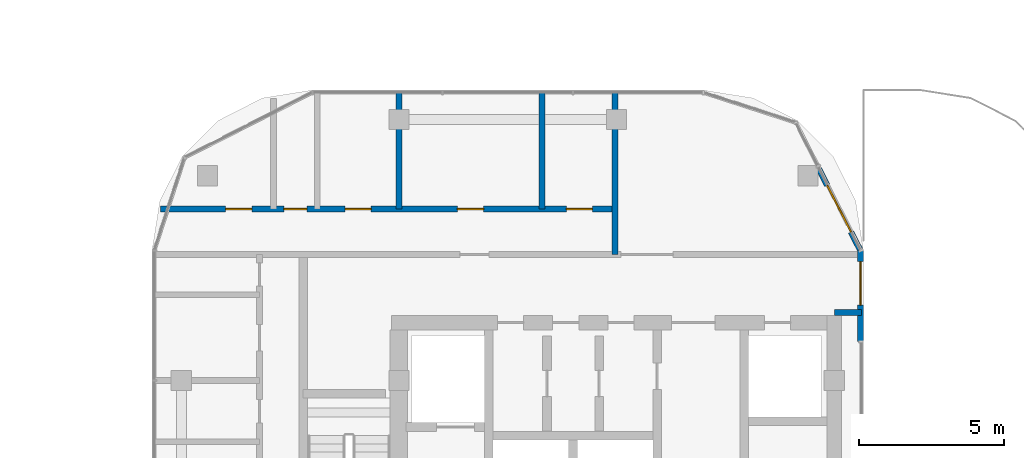
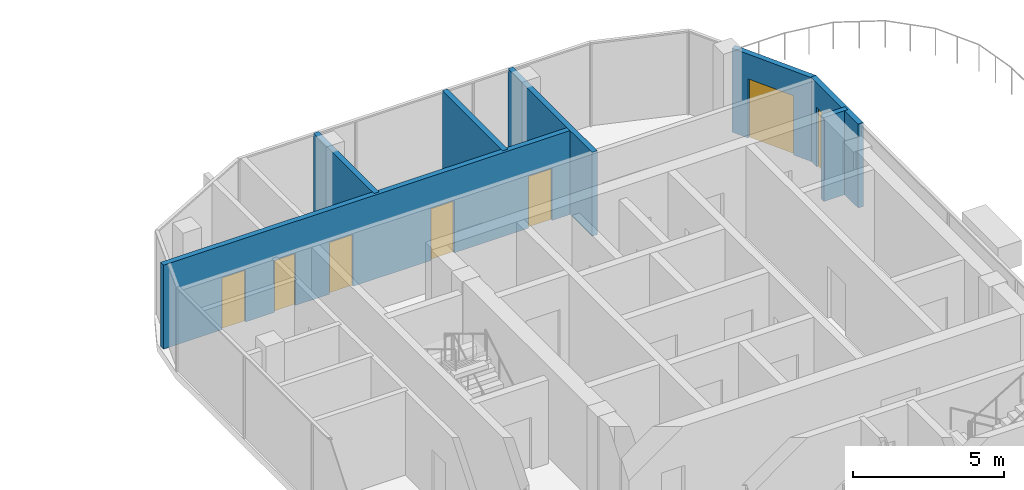
# One storey, part 25 of 35: 7 doors, 7 walls, 7 openings.
"""IFC4 building model written with IfcOpenShell, lengths in metres."""

from ifc_helpers import new_model, si_unit, direction, frame, frame_2d, origin, place, context, subcontext, project, spatial, rectangle, extrude, material, layer, layer_set, type_object, element, fill, save


model = new_model("IFC4")

# Units and contexts
model_context = context("Model", 3, precision=1e-05, world=origin(), true_north=direction((0.0, 1.0)))
body_context = subcontext(model_context, "Body", "Model", "MODEL_VIEW")
ifc_project = project(units=[si_unit("LENGTHUNIT", "METRE"), si_unit("AREAUNIT", "SQUARE_METRE"), si_unit("VOLUMEUNIT", "CUBIC_METRE"), si_unit("PLANEANGLEUNIT", "RADIAN"), si_unit("MASSUNIT", "GRAM", prefix="KILO")], contexts=[model_context])

# Site, building, storey
site_placement = place(None, origin())
site = spatial("IfcSite", under=ifc_project, at=site_placement, CompositionType="ELEMENT")
building_placement = place(site_placement, origin())
building = spatial("IfcBuilding", under=site, at=building_placement, Name="Ogive Portal Towers", CompositionType="ELEMENT")
storey_placement = place(building_placement, frame((0.0, 0.0, 94.5)))
storey = spatial("IfcBuildingStorey", under=building, at=storey_placement, Name="L22", CompositionType="ELEMENT", Elevation=94.5)

# Wall, opening, door
ifc_material_1 = material(Name="Limestone cladding on lightweight block wall", Category="masonry")
ifc_layer_1 = layer(ifc_material_1, 0.199951171875)
ifc_layer_set_1 = layer_set([ifc_layer_1], Name="BALCONY BAY WALL 200")
wall_type_1 = type_object("IfcWallType", Name="BALCONY BAY WALL 200", PredefinedType="SOLIDWALL", material=ifc_layer_set_1)
wall_1_placement = place(storey_placement, frame((144.909912109375, 40.0, 0.0), z_axis=(0.0, 0.0, 1.0), x_axis=(0.0, -1.0, 0.0)))
wall_1 = element("IfcWall", 1, at=wall_1_placement, inside=storey, type_object=wall_type_1, Name="B:L22:f05:bay0", PredefinedType="SOLIDWALL", context=body_context, shape_type="SweptSolid", body=[
    extrude(rectangle(XDim=3.14990234375, YDim=0.199951171875, at=frame_2d((1.574951171875, 0.0))), origin(), (0.0, 0.0, 1.0), 3.39990234375),
])
opening_1_placement = place(wall_1_placement, frame((0.39990234375, 0.0, 0.0)))
opening_1 = element("IfcOpeningElement", 2, at=opening_1_placement, cuts=wall_1, Name="Opening DX032", PredefinedType="OPENING", context=body_context, shape_type="SweptSolid", body=[
    extrude(rectangle(XDim=1.5, YDim=2.39990234375, at=frame_2d((0.75, 1.199951171875))), frame((0.0, 0.10986328125, 0.0), z_axis=(0.0, -1.0, 0.0), x_axis=(1.0, 0.0, 0.0)), (0.0, 0.0, 1.0), 0.219970703125),
])
ifc_material_2 = material(Name="Aluminium 6063 anodised", Category="aluminium")
door_type_1 = type_object("IfcDoorType", Name="BALCONY DOOR 1500x2400", OperationType="DOUBLE_DOOR_SINGLE_SWING", PredefinedType="DOOR", material=ifc_material_2)
door_1_placement = place(opening_1_placement, origin())
door_1 = element("IfcDoor", 3, at=door_1_placement, inside=storey, type_object=door_type_1, Name="B:L22:f05:bay0/o0", OperationType="SINGLE_SWING_LEFT", OverallHeight=2.39990234375, OverallWidth=1.5, PredefinedType="DOOR", context=body_context, shape_type="SweptSolid", body=[
    extrude(rectangle(XDim=1.5, YDim=2.39990234375, at=frame_2d((0.75, 1.199951171875))), frame((0.0, 0.02490234375, 0.0), z_axis=(0.0, -1.0, 0.0), x_axis=(1.0, 0.0, 0.0)), (0.0, 0.0, 1.0), 0.050048828125),
])
fill(opening_1, door_1)

wall_2_placement = place(storey_placement, frame((143.471923828125, 42.798583984375, 0.0), z_axis=(0.0, 0.0, 1.0), x_axis=(0.453962447346, -0.89102081704, 0.0)))
wall_2 = element("IfcWall", 4, at=wall_2_placement, inside=storey, type_object=wall_type_1, Name="B:L22:f06:bay0", PredefinedType="SOLIDWALL", context=body_context, shape_type="SweptSolid", body=[
    extrude(rectangle(XDim=3.19189453125, YDim=0.199951171875, at=frame_2d((1.595947265625, 0.0))), origin(), (0.0, 0.0, 1.0), 3.39990234375),
])
opening_2_placement = place(wall_2_placement, frame((0.641845703125, 0.0, 0.0)))
opening_2 = element("IfcOpeningElement", 5, at=opening_2_placement, cuts=wall_2, Name="Opening DX033", PredefinedType="OPENING", context=body_context, shape_type="SweptSolid", body=[
    extrude(rectangle(XDim=1.800048828125, YDim=2.39990234375, at=frame_2d((0.89990234375, 1.199951171875))), frame((0.0, 0.10986328125, 0.0), z_axis=(0.0, -1.0, 0.0), x_axis=(1.0, 0.0, 0.0)), (0.0, 0.0, 1.0), 0.219970703125),
])
door_type_2 = type_object("IfcDoorType", Name="BALCONY DOOR 1800x2400", OperationType="DOUBLE_DOOR_SINGLE_SWING", PredefinedType="DOOR", material=ifc_material_2)
door_2_placement = place(opening_2_placement, origin())
door_2 = element("IfcDoor", 6, at=door_2_placement, inside=storey, type_object=door_type_2, Name="B:L22:f06:bay0/o0", OperationType="SINGLE_SWING_LEFT", OverallHeight=2.39990234375, OverallWidth=1.800048828125, PredefinedType="DOOR", context=body_context, shape_type="SweptSolid", body=[
    extrude(rectangle(XDim=1.800048828125, YDim=2.39990234375, at=frame_2d((0.89990234375, 1.199951171875))), frame((0.0, 0.02490234375, 0.0), z_axis=(0.0, -1.0, 0.0), x_axis=(1.0, 0.0, 0.0)), (0.0, 0.0, 1.0), 0.050048828125),
])
fill(opening_2, door_2)

# Wall
ifc_material_3 = material(Name="Gypsum board partition on steel studs", Category="steel")
ifc_layer_2 = layer(ifc_material_3, 0.199951171875)
ifc_layer_set_2 = layer_set([ifc_layer_2], Name="WT-PART-200-EI 60")
wall_type_2 = type_object("IfcWallType", Name="WT-PART-200-EI 60", PredefinedType="PARTITIONING", material=ifc_layer_set_2)
wall_3_placement = place(storey_placement, frame((144.02001953125, 37.85009765625, 0.0), z_axis=(0.0, 0.0, 1.0), x_axis=(1.0, 0.0, 0.0)))
element("IfcWall", 7, at=wall_3_placement, inside=storey, type_object=wall_type_2, Name="Wall L22:w014", PredefinedType="PARTITIONING", context=body_context, shape_type="SweptSolid", body=[
    extrude(rectangle(XDim=0.919921875, YDim=0.199951171875, at=frame_2d((0.4599609375, 0.0))), origin(), (0.0, 0.0, 1.0), 3.39990234375),
])

# Wall, openings, doors
wall_4_placement = place(storey_placement, frame((120.783935546875, 41.409912109375, 0.0), z_axis=(0.0, 0.0, 1.0), x_axis=(1.0, 0.0, 0.0)))
wall_4 = element("IfcWall", 8, at=wall_4_placement, inside=storey, type_object=wall_type_2, Name="Wall L22:w017", PredefinedType="PARTITIONING", context=body_context, shape_type="SweptSolid", body=[
    extrude(rectangle(XDim=15.716064453125, YDim=0.199951171875, at=frame_2d((7.85791015625, 0.0))), origin(), (0.0, 0.0, 1.0), 3.39990234375),
])
opening_3_placement = place(wall_4_placement, frame((2.2451171875, 0.0, 0.0)))
opening_3 = element("IfcOpeningElement", 9, at=opening_3_placement, cuts=wall_4, Name="Opening B08-006", PredefinedType="OPENING", context=body_context, shape_type="SweptSolid", body=[
    extrude(rectangle(XDim=0.89990234375, YDim=2.10009765625, at=frame_2d((0.449951171875, 1.050048828125))), frame((0.0, 0.10986328125, 0.0), z_axis=(0.0, -1.0, 0.0), x_axis=(1.0, 0.0, 0.0)), (0.0, 0.0, 1.0), 0.219970703125),
])
opening_4_placement = place(wall_4_placement, frame((4.2470703125, 0.0, 0.0)))
opening_4 = element("IfcOpeningElement", 10, at=opening_4_placement, cuts=wall_4, Name="Opening B08-007", PredefinedType="OPENING", context=body_context, shape_type="SweptSolid", body=[
    extrude(rectangle(XDim=0.800048828125, YDim=2.10009765625, at=frame_2d((0.39990234375, 1.050048828125))), frame((0.0, 0.10986328125, 0.0), z_axis=(0.0, -1.0, 0.0), x_axis=(1.0, 0.0, 0.0)), (0.0, 0.0, 1.0), 0.219970703125),
])
opening_5_placement = place(wall_4_placement, frame((6.35791015625, 0.0, 0.0)))
opening_5 = element("IfcOpeningElement", 11, at=opening_5_placement, cuts=wall_4, Name="Opening B08-008", PredefinedType="OPENING", context=body_context, shape_type="SweptSolid", body=[
    extrude(rectangle(XDim=0.89990234375, YDim=2.10009765625, at=frame_2d((0.449951171875, 1.050048828125))), frame((0.0, 0.10986328125, 0.0), z_axis=(0.0, -1.0, 0.0), x_axis=(1.0, 0.0, 0.0)), (0.0, 0.0, 1.0), 0.219970703125),
])
opening_6_placement = place(wall_4_placement, frame((10.23291015625, 0.0, 0.0)))
opening_6 = element("IfcOpeningElement", 12, at=opening_6_placement, cuts=wall_4, Name="Opening B08-009", PredefinedType="OPENING", context=body_context, shape_type="SweptSolid", body=[
    extrude(rectangle(XDim=0.89990234375, YDim=2.10009765625, at=frame_2d((0.449951171875, 1.050048828125))), frame((0.0, 0.10986328125, 0.0), z_axis=(0.0, -1.0, 0.0), x_axis=(1.0, 0.0, 0.0)), (0.0, 0.0, 1.0), 0.219970703125),
])
opening_7_placement = place(wall_4_placement, frame((13.98291015625, 0.0, 0.0)))
opening_7 = element("IfcOpeningElement", 13, at=opening_7_placement, cuts=wall_4, Name="Opening B08-010", PredefinedType="OPENING", context=body_context, shape_type="SweptSolid", body=[
    extrude(rectangle(XDim=0.89990234375, YDim=2.10009765625, at=frame_2d((0.449951171875, 1.050048828125))), frame((0.0, 0.10986328125, 0.0), z_axis=(0.0, -1.0, 0.0), x_axis=(1.0, 0.0, 0.0)), (0.0, 0.0, 1.0), 0.219970703125),
])
ifc_material_4 = material(Name="Steel fire door", Category="steel")
door_type_3 = type_object("IfcDoorType", Name="DT-SWING-800x2100-FD60S", OperationType="SINGLE_SWING_LEFT", PredefinedType="DOOR", material=ifc_material_4)
door_3_placement = place(opening_4_placement, origin())
door_3 = element("IfcDoor", 14, at=door_3_placement, inside=storey, type_object=door_type_3, Name="Door B08-007", OperationType="SINGLE_SWING_LEFT", OverallHeight=2.10009765625, OverallWidth=0.800048828125, PredefinedType="DOOR", context=body_context, shape_type="SweptSolid", body=[
    extrude(rectangle(XDim=0.800048828125, YDim=2.10009765625, at=frame_2d((0.39990234375, 1.050048828125))), frame((0.0, 0.02490234375, 0.0), z_axis=(0.0, -1.0, 0.0), x_axis=(1.0, 0.0, 0.0)), (0.0, 0.0, 1.0), 0.050048828125),
])
fill(opening_4, door_3)
door_type_4 = type_object("IfcDoorType", Name="DT-SWING-900x2100-FD60S", OperationType="SINGLE_SWING_LEFT", PredefinedType="DOOR", material=ifc_material_4)
door_4_placement = place(opening_3_placement, origin())
door_4 = element("IfcDoor", 15, at=door_4_placement, inside=storey, type_object=door_type_4, Name="Door B08-006", OperationType="SINGLE_SWING_RIGHT", OverallHeight=2.10009765625, OverallWidth=0.89990234375, PredefinedType="DOOR", context=body_context, shape_type="SweptSolid", body=[
    extrude(rectangle(XDim=0.89990234375, YDim=2.10009765625, at=frame_2d((0.449951171875, 1.050048828125))), frame((0.0, 0.02490234375, 0.0), z_axis=(0.0, -1.0, 0.0), x_axis=(1.0, 0.0, 0.0)), (0.0, 0.0, 1.0), 0.050048828125),
])
fill(opening_3, door_4)
door_5_placement = place(opening_5_placement, origin())
door_5 = element("IfcDoor", 16, at=door_5_placement, inside=storey, type_object=door_type_4, Name="Door B08-008", OperationType="SINGLE_SWING_RIGHT", OverallHeight=2.10009765625, OverallWidth=0.89990234375, PredefinedType="DOOR", context=body_context, shape_type="SweptSolid", body=[
    extrude(rectangle(XDim=0.89990234375, YDim=2.10009765625, at=frame_2d((0.449951171875, 1.050048828125))), frame((0.0, 0.02490234375, 0.0), z_axis=(0.0, -1.0, 0.0), x_axis=(1.0, 0.0, 0.0)), (0.0, 0.0, 1.0), 0.050048828125),
])
fill(opening_5, door_5)
door_6_placement = place(opening_6_placement, origin())
door_6 = element("IfcDoor", 17, at=door_6_placement, inside=storey, type_object=door_type_4, Name="Door B08-009", OperationType="SINGLE_SWING_LEFT", OverallHeight=2.10009765625, OverallWidth=0.89990234375, PredefinedType="DOOR", context=body_context, shape_type="SweptSolid", body=[
    extrude(rectangle(XDim=0.89990234375, YDim=2.10009765625, at=frame_2d((0.449951171875, 1.050048828125))), frame((0.0, 0.02490234375, 0.0), z_axis=(0.0, -1.0, 0.0), x_axis=(1.0, 0.0, 0.0)), (0.0, 0.0, 1.0), 0.050048828125),
])
fill(opening_6, door_6)
door_7_placement = place(opening_7_placement, origin())
door_7 = element("IfcDoor", 18, at=door_7_placement, inside=storey, type_object=door_type_4, Name="Door B08-010", OperationType="SINGLE_SWING_RIGHT", OverallHeight=2.10009765625, OverallWidth=0.89990234375, PredefinedType="DOOR", context=body_context, shape_type="SweptSolid", body=[
    extrude(rectangle(XDim=0.89990234375, YDim=2.10009765625, at=frame_2d((0.449951171875, 1.050048828125))), frame((0.0, 0.02490234375, 0.0), z_axis=(0.0, -1.0, 0.0), x_axis=(1.0, 0.0, 0.0)), (0.0, 0.0, 1.0), 0.050048828125),
])
fill(opening_7, door_7)

# Walls
for number, where, z_axis, x_axis, name in (
    (19, (129.0, 41.409912109375, 0.0), (0.0, 0.0, 1.0), (0.0, 1.0, 0.0), "Wall L22:w026"),
    (20, (133.93310546875, 41.409912109375, 0.0), (0.0, 0.0, 1.0), (0.0, 1.0, 0.0), "Wall L22:w027"),
):
    element("IfcWall", number, at=place(storey_placement, frame(where, z_axis=z_axis, x_axis=x_axis)), inside=storey, type_object=wall_type_2, Name=name, PredefinedType="PARTITIONING", context=body_context, shape_type="SweptSolid", body=[
        extrude(rectangle(XDim=4.030029296875, YDim=0.199951171875, at=frame_2d((2.01513671875, 0.0))), origin(), (0.0, 0.0, 1.0), 3.39990234375),
    ])
wall_5_placement = place(storey_placement, frame((136.449951171875, 39.85009765625, 0.0), z_axis=(0.0, 0.0, 1.0), x_axis=(0.0, 1.0, 0.0)))
element("IfcWall", 21, at=wall_5_placement, inside=storey, type_object=wall_type_2, Name="Wall L22:w032", PredefinedType="PARTITIONING", context=body_context, shape_type="SweptSolid", body=[
    extrude(rectangle(XDim=5.58984375, YDim=0.199951171875, at=frame_2d((2.794921875, 0.0))), origin(), (0.0, 0.0, 1.0), 3.39990234375),
])

save(model, "model.ifc")
